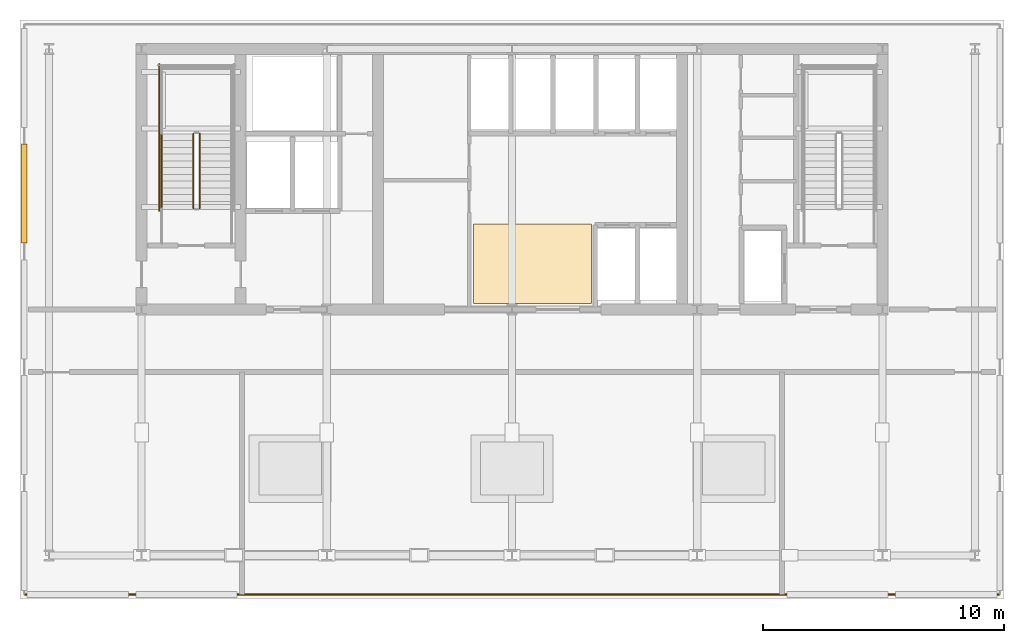
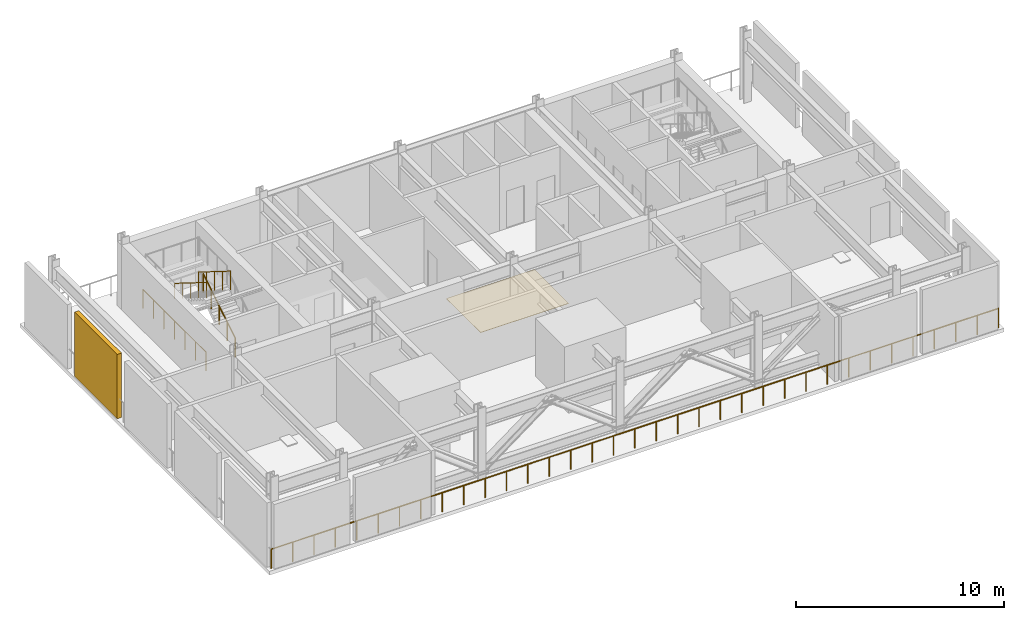
# One storey, part 5 of 8: 5 railings, 1 covering, 1 shading device.
"""IFC4 building model written with IfcOpenShell, lengths in metres."""

from ifc_helpers import new_model, si_unit, direction, frame, origin, origin_2d, place, context, subcontext, project, spatial, polyline, rectangle, circle, outline, extrude, material, layer, layer_set, type_object, element, save


model = new_model("IFC4")

# Units and contexts
model_context = context("Model", 3, precision=1e-05, world=origin(), true_north=direction((0.0, 1.0)))
body_context = subcontext(model_context, "Body", "Model", "MODEL_VIEW")
ifc_project = project(units=[si_unit("LENGTHUNIT", "METRE"), si_unit("AREAUNIT", "SQUARE_METRE"), si_unit("VOLUMEUNIT", "CUBIC_METRE"), si_unit("PLANEANGLEUNIT", "RADIAN"), si_unit("MASSUNIT", "GRAM", prefix="KILO")], contexts=[model_context])

# Site, building, storey
site_placement = place(None, origin())
site = spatial("IfcSite", under=ifc_project, at=site_placement, CompositionType="ELEMENT")
building_placement = place(site_placement, origin())
building = spatial("IfcBuilding", under=site, at=building_placement, Name="Yelkora Congress Tower", CompositionType="ELEMENT")
storey_placement = place(building_placement, frame((0.0, 0.0, 196.10009765625)))
storey = spatial("IfcBuildingStorey", under=building, at=storey_placement, Name="L54", CompositionType="ELEMENT", Elevation=196.10009765625)

# Covering
ifc_material_1 = material(Name="Polished Anatolian grey granite tile", Category="masonry")
ifc_layer_1 = layer(ifc_material_1, 0.02001953125)
ifc_layer_set_1 = layer_set([ifc_layer_1], Name="Polished Anatolian grey granite tile")
covering_type = type_object("IfcCoveringType", Name="COV-FLOOR-GRANITE-20", PredefinedType="FLOORING", material=ifc_layer_set_1)
covering_placement = place(storey_placement, origin())
element("IfcCovering", 1, at=covering_placement, inside=storey, type_object=covering_type, Name="L54 Lift Lobby Granite Flooring", PredefinedType="FLOORING", context=body_context, shape_type="SweptSolid", body=[
    extrude(outline(polyline([(36.800048828125, 35.64990234375), (41.699951171875, 35.64990234375), (41.699951171875, 38.949951171875), (36.800048828125, 38.949951171875), (36.800048828125, 35.64990234375)])), origin(), (0.0, 0.0, 1.0), 0.02001953125),
])

# Railings
ifc_material_2 = material(Name="Stainless steel 316L and laminated glass infill", Category="steel")
ifc_layer_2 = layer(ifc_material_2, 0.080078125)
ifc_layer_set_2 = layer_set([ifc_layer_2], Name="Stainless steel 316L and laminated glass infill")
railing_type_1 = type_object("IfcRailingType", Name="RAIL-EXT-GUARD-1150", PredefinedType="GUARDRAIL", material=ifc_layer_set_2)
railing_1_placement = place(storey_placement, frame((18.199951171875, 23.580078125, 0.0)))
element("IfcRailing", 2, at=railing_1_placement, inside=storey, type_object=railing_type_1, Name="L54 Wind-Floor South Guardrail", PredefinedType="GUARDRAIL", context=body_context, shape_type="SweptSolid", body=[
    extrude(circle(Radius=0.02392578125, at=origin_2d()), frame((0.0, 0.0, 1.1259765625), z_axis=(1.0, 0.0, 0.0), x_axis=(0.0, 1.0, 0.0)), (0.0, 0.0, 1.0), 40.400146484375),
    extrude(circle(Radius=0.02099609375, at=origin_2d()), origin(), (0.0, 0.0, 1.0), 1.101806640625),
    extrude(circle(Radius=0.02099609375, at=origin_2d()), frame((1.188232421875, 0.0, 0.0)), (0.0, 0.0, 1.0), 1.101806640625),
    extrude(circle(Radius=0.02099609375, at=origin_2d()), frame((2.37646484375, 0.0, 0.0)), (0.0, 0.0, 1.0), 1.101806640625),
    extrude(circle(Radius=0.02099609375, at=origin_2d()), frame((3.564697265625, 0.0, 0.0)), (0.0, 0.0, 1.0), 1.101806640625),
    extrude(circle(Radius=0.02099609375, at=origin_2d()), frame((4.7529296875, 0.0, 0.0)), (0.0, 0.0, 1.0), 1.101806640625),
    extrude(circle(Radius=0.02099609375, at=origin_2d()), frame((5.941162109375, 0.0, 0.0)), (0.0, 0.0, 1.0), 1.101806640625),
    extrude(circle(Radius=0.02099609375, at=origin_2d()), frame((7.12939453125, 0.0, 0.0)), (0.0, 0.0, 1.0), 1.101806640625),
    extrude(circle(Radius=0.02099609375, at=origin_2d()), frame((8.317626953125, 0.0, 0.0)), (0.0, 0.0, 1.0), 1.101806640625),
    extrude(circle(Radius=0.02099609375, at=origin_2d()), frame((9.505859375, 0.0, 0.0)), (0.0, 0.0, 1.0), 1.101806640625),
    extrude(circle(Radius=0.02099609375, at=origin_2d()), frame((10.694091796875, 0.0, 0.0)), (0.0, 0.0, 1.0), 1.101806640625),
    extrude(circle(Radius=0.02099609375, at=origin_2d()), frame((11.88232421875, 0.0, 0.0)), (0.0, 0.0, 1.0), 1.101806640625),
    extrude(circle(Radius=0.02099609375, at=origin_2d()), frame((13.070556640625, 0.0, 0.0)), (0.0, 0.0, 1.0), 1.101806640625),
    extrude(circle(Radius=0.02099609375, at=origin_2d()), frame((14.2587890625, 0.0, 0.0)), (0.0, 0.0, 1.0), 1.101806640625),
    extrude(circle(Radius=0.02099609375, at=origin_2d()), frame((15.447021484375, 0.0, 0.0)), (0.0, 0.0, 1.0), 1.101806640625),
    extrude(circle(Radius=0.02099609375, at=origin_2d()), frame((16.63525390625, 0.0, 0.0)), (0.0, 0.0, 1.0), 1.101806640625),
    extrude(circle(Radius=0.02099609375, at=origin_2d()), frame((17.823486328125, 0.0, 0.0)), (0.0, 0.0, 1.0), 1.101806640625),
    extrude(circle(Radius=0.02099609375, at=origin_2d()), frame((19.01171875, 0.0, 0.0)), (0.0, 0.0, 1.0), 1.101806640625),
    extrude(circle(Radius=0.02099609375, at=origin_2d()), frame((20.2001953125, 0.0, 0.0)), (0.0, 0.0, 1.0), 1.101806640625),
    extrude(circle(Radius=0.02099609375, at=origin_2d()), frame((21.388427734375, 0.0, 0.0)), (0.0, 0.0, 1.0), 1.101806640625),
    extrude(circle(Radius=0.02099609375, at=origin_2d()), frame((22.57666015625, 0.0, 0.0)), (0.0, 0.0, 1.0), 1.101806640625),
    extrude(circle(Radius=0.02099609375, at=origin_2d()), frame((23.764892578125, 0.0, 0.0)), (0.0, 0.0, 1.0), 1.101806640625),
    extrude(circle(Radius=0.02099609375, at=origin_2d()), frame((24.953125, 0.0, 0.0)), (0.0, 0.0, 1.0), 1.101806640625),
    extrude(circle(Radius=0.02099609375, at=origin_2d()), frame((26.141357421875, 0.0, 0.0)), (0.0, 0.0, 1.0), 1.101806640625),
    extrude(circle(Radius=0.02099609375, at=origin_2d()), frame((27.32958984375, 0.0, 0.0)), (0.0, 0.0, 1.0), 1.101806640625),
    extrude(circle(Radius=0.02099609375, at=origin_2d()), frame((28.517822265625, 0.0, 0.0)), (0.0, 0.0, 1.0), 1.101806640625),
    extrude(circle(Radius=0.02099609375, at=origin_2d()), frame((29.7060546875, 0.0, 0.0)), (0.0, 0.0, 1.0), 1.101806640625),
    extrude(circle(Radius=0.02099609375, at=origin_2d()), frame((30.894287109375, 0.0, 0.0)), (0.0, 0.0, 1.0), 1.101806640625),
    extrude(circle(Radius=0.02099609375, at=origin_2d()), frame((32.08251953125, 0.0, 0.0)), (0.0, 0.0, 1.0), 1.101806640625),
    extrude(circle(Radius=0.02099609375, at=origin_2d()), frame((33.270751953125, 0.0, 0.0)), (0.0, 0.0, 1.0), 1.101806640625),
    extrude(circle(Radius=0.02099609375, at=origin_2d()), frame((34.458984375, 0.0, 0.0)), (0.0, 0.0, 1.0), 1.101806640625),
    extrude(circle(Radius=0.02099609375, at=origin_2d()), frame((35.647216796875, 0.0, 0.0)), (0.0, 0.0, 1.0), 1.101806640625),
    extrude(circle(Radius=0.02099609375, at=origin_2d()), frame((36.83544921875, 0.0, 0.0)), (0.0, 0.0, 1.0), 1.101806640625),
    extrude(circle(Radius=0.02099609375, at=origin_2d()), frame((38.023681640625, 0.0, 0.0)), (0.0, 0.0, 1.0), 1.101806640625),
    extrude(circle(Radius=0.02099609375, at=origin_2d()), frame((39.2119140625, 0.0, 0.0)), (0.0, 0.0, 1.0), 1.101806640625),
    extrude(circle(Radius=0.02099609375, at=origin_2d()), frame((40.400146484375, 0.0, 0.0)), (0.0, 0.0, 1.0), 1.101806640625),
])
ifc_material_3 = material(Name="Painted galvanised steel stair well guard with vertical infill", Category="steel")
ifc_layer_3 = layer(ifc_material_3, 0.06005859375)
ifc_layer_set_3 = layer_set([ifc_layer_3], Name="Painted galvanised steel stair well guard with vertical infill")
railing_type_2 = type_object("IfcRailingType", Name="RAIL-STAIR-GUARD-1120", PredefinedType="GUARDRAIL", material=ifc_layer_set_3)
railing_2_placement = place(storey_placement, frame((25.449951171875, 39.60009765625, 0.1748046875)))
element("IfcRailing", 3, at=railing_2_placement, inside=storey, type_object=railing_type_2, Name="ST-01 L54 Stair Well Guardrail 1", PredefinedType="GUARDRAIL", context=body_context, shape_type="SweptSolid", body=[
    extrude(circle(Radius=0.02392578125, at=origin_2d()), frame((0.0, 0.0, 1.09619140625), z_axis=(0.0, 0.847979421464, 0.530029150871), x_axis=(-1.0, 0.0, 0.0)), (0.0, 0.0, 1.0), 3.632080078125),
    extrude(circle(Radius=0.02099609375, at=origin_2d()), origin(), (0.0, 0.0, 1.0), 1.072021484375),
    extrude(circle(Radius=0.02099609375, at=origin_2d()), frame((0.0, 0.77001953125, 0.481201171875)), (0.0, 0.0, 1.0), 1.072021484375),
    extrude(circle(Radius=0.02099609375, at=origin_2d()), frame((0.0, 1.5400390625, 0.96240234375)), (0.0, 0.0, 1.0), 1.072021484375),
    extrude(circle(Radius=0.02099609375, at=origin_2d()), frame((0.0, 2.309814453125, 1.44384765625)), (0.0, 0.0, 1.0), 1.072021484375),
    extrude(circle(Radius=0.02099609375, at=origin_2d()), frame((0.0, 3.079833984375, 1.925048828125)), (0.0, 0.0, 1.0), 1.072021484375),
])
railing_3_placement = place(storey_placement, frame((25.18994140625, 42.679931640625, 2.27490234375)))
element("IfcRailing", 4, at=railing_3_placement, inside=storey, type_object=railing_type_2, Name="ST-01 L54 Stair Well Guardrail 6", PredefinedType="GUARDRAIL", context=body_context, shape_type="SweptSolid", body=[
    extrude(circle(Radius=0.02392578125, at=origin_2d()), frame((0.0, 0.0, 1.09619140625), z_axis=(0.0, -0.847979421464, 0.530029150871), x_axis=(1.0, 0.0, 0.0)), (0.0, 0.0, 1.0), 3.632080078125),
    extrude(circle(Radius=0.02099609375, at=origin_2d()), origin(), (0.0, 0.0, 1.0), 1.072021484375),
    extrude(circle(Radius=0.02099609375, at=origin_2d()), frame((0.0, -0.77001953125, 0.481201171875)), (0.0, 0.0, 1.0), 1.072021484375),
    extrude(circle(Radius=0.02099609375, at=origin_2d()), frame((0.0, -1.5400390625, 0.96240234375)), (0.0, 0.0, 1.0), 1.072021484375),
    extrude(circle(Radius=0.02099609375, at=origin_2d()), frame((0.0, -2.309814453125, 1.44384765625)), (0.0, 0.0, 1.0), 1.072021484375),
    extrude(circle(Radius=0.02099609375, at=origin_2d()), frame((0.0, -3.079833984375, 1.925048828125)), (0.0, 0.0, 1.0), 1.072021484375),
])
railing_4_placement = place(storey_placement, frame((23.77001953125, 39.5, 0.0)))
element("IfcRailing", 5, at=railing_4_placement, inside=storey, type_object=railing_type_2, Name="ST-01 L54 Stair Well Guardrail 11", PredefinedType="GUARDRAIL", context=body_context, shape_type="SweptSolid", body=[
    extrude(circle(Radius=0.02392578125, at=origin_2d()), frame((0.0, 0.0, 1.09619140625), z_axis=(0.0, 1.0, 0.0), x_axis=(-1.0, 0.0, 0.0)), (0.0, 0.0, 1.0), 6.070068359375),
    extrude(circle(Radius=0.02099609375, at=origin_2d()), origin(), (0.0, 0.0, 1.0), 1.072021484375),
    extrude(circle(Radius=0.02099609375, at=origin_2d()), frame((0.0, 1.01171875, 0.0)), (0.0, 0.0, 1.0), 1.072021484375),
    extrude(circle(Radius=0.02099609375, at=origin_2d()), frame((0.0, 2.0234375, 0.0)), (0.0, 0.0, 1.0), 1.072021484375),
    extrude(circle(Radius=0.02099609375, at=origin_2d()), frame((0.0, 3.03515625, 0.0)), (0.0, 0.0, 1.0), 1.072021484375),
    extrude(circle(Radius=0.02099609375, at=origin_2d()), frame((0.0, 4.046630859375, 0.0)), (0.0, 0.0, 1.0), 1.072021484375),
    extrude(circle(Radius=0.02099609375, at=origin_2d()), frame((0.0, 5.058349609375, 0.0)), (0.0, 0.0, 1.0), 1.072021484375),
    extrude(circle(Radius=0.02099609375, at=origin_2d()), frame((0.0, 6.070068359375, 0.0)), (0.0, 0.0, 1.0), 1.072021484375),
])
ifc_material_4 = material(Name="Brushed stainless steel tubular handrail", Category="steel")
ifc_layer_4 = layer(ifc_material_4, 0.050048828125)
ifc_layer_set_4 = layer_set([ifc_layer_4], Name="Brushed stainless steel tubular handrail")
railing_type_3 = type_object("IfcRailingType", Name="RAIL-STAIR-HAND-920", PredefinedType="HANDRAIL", material=ifc_layer_set_4)
railing_5_placement = place(storey_placement, frame((23.8701171875, 42.679931640625, 2.27490234375)))
element("IfcRailing", 6, at=railing_5_placement, inside=storey, type_object=railing_type_3, Name="ST-01 L54 Pitch Handrail 2", PredefinedType="HANDRAIL", context=body_context, shape_type="SweptSolid", body=[
    extrude(circle(Radius=0.02392578125, at=origin_2d()), frame((0.0, 0.0, 0.89599609375), z_axis=(0.0, -0.847979421464, 0.530029150871), x_axis=(1.0, 0.0, 0.0)), (0.0, 0.0, 1.0), 3.632080078125),
    extrude(circle(Radius=0.02099609375, at=origin_2d()), origin(), (0.0, 0.0, 1.0), 0.871826171875),
    extrude(circle(Radius=0.02099609375, at=origin_2d()), frame((0.0, -0.77001953125, 0.481201171875)), (0.0, 0.0, 1.0), 0.871826171875),
    extrude(circle(Radius=0.02099609375, at=origin_2d()), frame((0.0, -1.5400390625, 0.96240234375)), (0.0, 0.0, 1.0), 0.871826171875),
    extrude(circle(Radius=0.02099609375, at=origin_2d()), frame((0.0, -2.309814453125, 1.44384765625)), (0.0, 0.0, 1.0), 0.871826171875),
    extrude(circle(Radius=0.02099609375, at=origin_2d()), frame((0.0, -3.079833984375, 1.925048828125)), (0.0, 0.0, 1.0), 0.871826171875),
])

# Shading device
ifc_material_5 = material(Name="Perforated anodised aluminium louvre", Category="aluminium")
ifc_layer_5 = layer(ifc_material_5, 3.39990234375)
ifc_layer_set_5 = layer_set([ifc_layer_5], Name="Perforated anodised aluminium louvre")
shading_device_type = type_object("IfcShadingDeviceType", Name="SHD-LOUVRE-WIND", PredefinedType="JALOUSIE", material=ifc_layer_set_5)
shading_device_placement = place(storey_placement, frame((18.179931640625, 40.199951171875, 0.0), z_axis=(0.0, 0.0, 1.0), x_axis=(1.0, 0.0, 0.0)))
element("IfcShadingDevice", 7, at=shading_device_placement, inside=storey, type_object=shading_device_type, Name="L54 Acoustic Wind-Floor Louvre Screen W4", PredefinedType="JALOUSIE", context=body_context, shape_type="SweptSolid", body=[
    extrude(rectangle(XDim=0.239990234375, YDim=4.10009765625, at=origin_2d()), origin(), (0.0, 0.0, 1.0), 3.780029296875),
])

save(model, "model.ifc")
